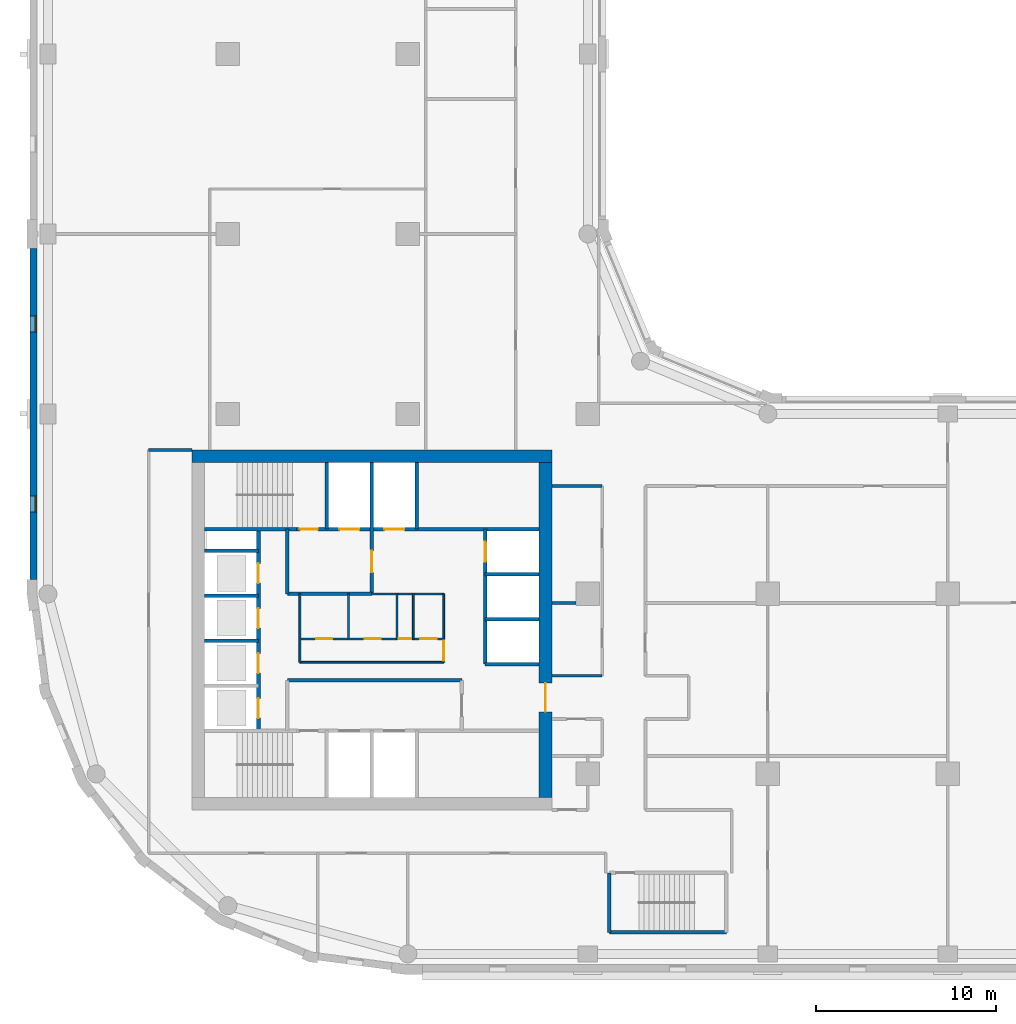
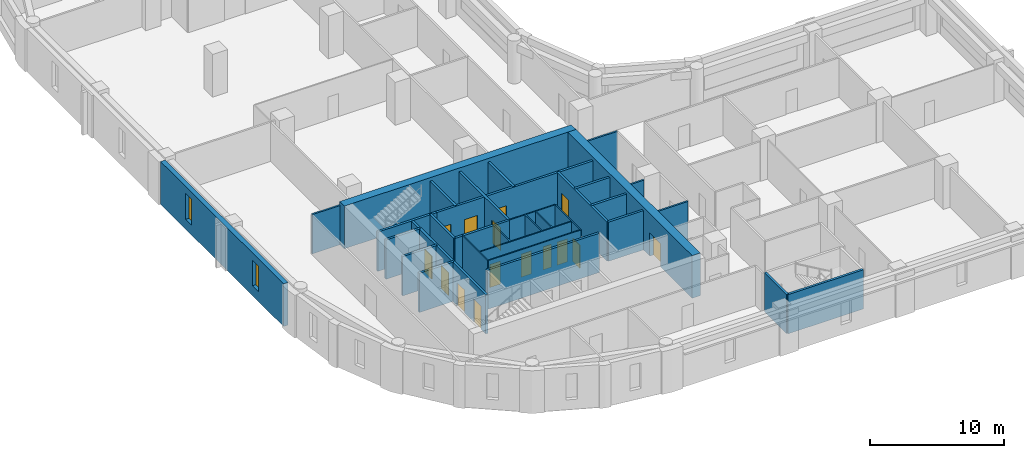
# One storey, part 3 of 9: 33 walls, 15 doors, 2 windows, 17 openings.
"""IFC4 building model written with IfcOpenShell, lengths in metres."""

from ifc_helpers import new_model, si_unit, direction, frame, frame_2d, origin, place, context, subcontext, project, spatial, rectangle, extrude, material, layer, layer_set, type_object, element, fill, save


model = new_model("IFC4")

# Units and contexts
model_context = context("Model", 3, precision=1e-05, world=origin(), true_north=direction((0.0, 1.0)))
body_context = subcontext(model_context, "Body", "Model", "MODEL_VIEW")
ifc_project = project(units=[si_unit("LENGTHUNIT", "METRE"), si_unit("AREAUNIT", "SQUARE_METRE"), si_unit("VOLUMEUNIT", "CUBIC_METRE"), si_unit("PLANEANGLEUNIT", "RADIAN"), si_unit("MASSUNIT", "GRAM", prefix="KILO")], contexts=[model_context])

# Site, building, storey
site_placement = place(None, origin())
site = spatial("IfcSite", under=ifc_project, at=site_placement, CompositionType="ELEMENT")
building_placement = place(site_placement, origin())
building = spatial("IfcBuilding", under=site, at=building_placement, Name="Qaws Garden Tower", CompositionType="ELEMENT")
storey_placement = place(building_placement, frame((0.0, 0.0, 162.89990234375)))
storey = spatial("IfcBuildingStorey", under=building, at=storey_placement, Name="L39", CompositionType="ELEMENT", Elevation=162.89990234375)

# Wall, openings, windows
ifc_material_1 = material(Name="Clay facing brick masonry", Category="masonry")
ifc_layer_1 = layer(ifc_material_1, 0.39990234375)
ifc_layer_set_1 = layer_set([ifc_layer_1], Name="Clay facing brick masonry")
wall_type_1 = type_object("IfcWallType", Name="Brick infill wall 400", PredefinedType="SOLIDWALL", material=ifc_layer_set_1)
wall_1_placement = place(storey_placement, frame((-0.800048828125, 39.199951171875, 0.0), z_axis=(0.0, 0.0, 1.0), x_axis=(0.0, -1.0, 0.0)))
wall_1 = element("IfcWall", 1, at=wall_1_placement, inside=storey, type_object=wall_type_1, Name="E-L39-infill-23", PredefinedType="SOLIDWALL", context=body_context, shape_type="SweptSolid", body=[
    extrude(rectangle(XDim=18.39990234375, YDim=0.39990234375, at=frame_2d((9.199951171875, 0.0))), origin(), (0.0, 0.0, 1.0), 3.900146484375),
])
opening_1_placement = place(wall_1_placement, frame((3.75, 0.0, 0.89990234375)))
opening_1 = element("IfcOpeningElement", 2, at=opening_1_placement, cuts=wall_1, Name="Opening W09", PredefinedType="OPENING", context=body_context, shape_type="SweptSolid", body=[
    extrude(rectangle(XDim=0.89990234375, YDim=2.35009765625, at=frame_2d((0.449951171875, 1.175048828125))), frame((0.0, 0.2099609375, 0.0), z_axis=(0.0, -1.0, 0.0), x_axis=(1.0, 0.0, 0.0)), (0.0, 0.0, 1.0), 0.419921875),
])
opening_2_placement = place(wall_1_placement, frame((13.75, 0.0, 0.89990234375)))
opening_2 = element("IfcOpeningElement", 3, at=opening_2_placement, cuts=wall_1, Name="Opening W09", PredefinedType="OPENING", context=body_context, shape_type="SweptSolid", body=[
    extrude(rectangle(XDim=0.89990234375, YDim=2.35009765625, at=frame_2d((0.449951171875, 1.175048828125))), frame((0.0, 0.2099609375, 0.0), z_axis=(0.0, -1.0, 0.0), x_axis=(1.0, 0.0, 0.0)), (0.0, 0.0, 1.0), 0.419921875),
])
ifc_material_2 = material(Name="Aluminium framed window, clear glazing", Category="aluminium")
window_type = type_object("IfcWindowType", Name="Slit window 900 x 2350", PartitioningType="SINGLE_PANEL", PredefinedType="WINDOW", material=ifc_material_2)
window_1_placement = place(opening_1_placement, origin())
window_1 = element("IfcWindow", 4, at=window_1_placement, inside=storey, type_object=window_type, Name="E-L39-window-23-0", OverallHeight=2.35009765625, OverallWidth=0.89990234375, PartitioningType="SINGLE_PANEL", PredefinedType="WINDOW", context=body_context, shape_type="SweptSolid", body=[
    extrude(rectangle(XDim=0.89990234375, YDim=2.35009765625, at=frame_2d((0.449951171875, 1.175048828125))), frame((0.0, 0.159912109375, 0.0), z_axis=(0.0, -1.0, 0.0), x_axis=(1.0, 0.0, 0.0)), (0.0, 0.0, 1.0), 0.06005859375),
])
fill(opening_1, window_1)
window_2_placement = place(opening_2_placement, origin())
window_2 = element("IfcWindow", 5, at=window_2_placement, inside=storey, type_object=window_type, Name="E-L39-window-24-0", OverallHeight=2.35009765625, OverallWidth=0.89990234375, PartitioningType="SINGLE_PANEL", PredefinedType="WINDOW", context=body_context, shape_type="SweptSolid", body=[
    extrude(rectangle(XDim=0.89990234375, YDim=2.35009765625, at=frame_2d((0.449951171875, 1.175048828125))), frame((0.0, 0.159912109375, 0.0), z_axis=(0.0, -1.0, 0.0), x_axis=(1.0, 0.0, 0.0)), (0.0, 0.0, 1.0), 0.06005859375),
])
fill(opening_2, window_2)

# Wall
ifc_material_3 = material(Name="Plasterboard")
ifc_layer_2 = layer(ifc_material_3, 0.10009765625)
ifc_layer_set_2 = layer_set([ifc_layer_2], Name="Plasterboard")
wall_type_2 = type_object("IfcWallType", Name="Core partition 100", PredefinedType="PARTITIONING", material=ifc_layer_set_2)
wall_2_placement = place(storey_placement, frame((14.0, 16.199951171875, 0.0), z_axis=(0.0, 0.0, 1.0), x_axis=(1.0, 0.0, 0.0)))
element("IfcWall", 6, at=wall_2_placement, inside=storey, type_object=wall_type_2, Name="Core partition", PredefinedType="PARTITIONING", context=body_context, shape_type="SweptSolid", body=[
    extrude(rectangle(XDim=8.0, YDim=0.10009765625, at=frame_2d((4.0, 0.0))), origin(), (0.0, 0.0, 1.0), 3.580078125),
])

# Wall, openings, doors
wall_3_placement = place(storey_placement, frame((14.0, 17.5, 0.0), z_axis=(0.0, 0.0, 1.0), x_axis=(1.0, 0.0, 0.0)))
wall_3 = element("IfcWall", 7, at=wall_3_placement, inside=storey, type_object=wall_type_2, Name="Core partition", PredefinedType="PARTITIONING", context=body_context, shape_type="SweptSolid", body=[
    extrude(rectangle(XDim=8.0, YDim=0.10009765625, at=frame_2d((4.0, 0.0))), origin(), (0.0, 0.0, 1.0), 3.580078125),
])
opening_3_placement = place(wall_3_placement, frame((0.89990234375, 0.0, 0.0)))
opening_3 = element("IfcOpeningElement", 8, at=opening_3_placement, cuts=wall_3, Name="Opening WD18", PredefinedType="OPENING", context=body_context, shape_type="SweptSolid", body=[
    extrude(rectangle(XDim=0.89990234375, YDim=2.10009765625, at=frame_2d((0.449951171875, 1.050048828125))), frame((0.0, 0.06005859375, 0.0), z_axis=(0.0, -1.0, 0.0), x_axis=(1.0, 0.0, 0.0)), (0.0, 0.0, 1.0), 0.1201171875),
])
opening_4_placement = place(wall_3_placement, frame((3.60009765625, 0.0, 0.0)))
opening_4 = element("IfcOpeningElement", 9, at=opening_4_placement, cuts=wall_3, Name="Opening WD19", PredefinedType="OPENING", context=body_context, shape_type="SweptSolid", body=[
    extrude(rectangle(XDim=0.89990234375, YDim=2.10009765625, at=frame_2d((0.449951171875, 1.050048828125))), frame((0.0, 0.06005859375, 0.0), z_axis=(0.0, -1.0, 0.0), x_axis=(1.0, 0.0, 0.0)), (0.0, 0.0, 1.0), 0.1201171875),
])
opening_5_placement = place(wall_3_placement, frame((5.5, 0.0, 0.0)))
opening_5 = element("IfcOpeningElement", 10, at=opening_5_placement, cuts=wall_3, Name="Opening XD20", PredefinedType="OPENING", context=body_context, shape_type="SweptSolid", body=[
    extrude(rectangle(XDim=0.699951171875, YDim=2.10009765625, at=frame_2d((0.35009765625, 1.050048828125))), frame((0.0, 0.06005859375, 0.0), z_axis=(0.0, -1.0, 0.0), x_axis=(1.0, 0.0, 0.0)), (0.0, 0.0, 1.0), 0.1201171875),
])
opening_6_placement = place(wall_3_placement, frame((6.699951171875, 0.0, 0.0)))
opening_6 = element("IfcOpeningElement", 11, at=opening_6_placement, cuts=wall_3, Name="Opening WD21", PredefinedType="OPENING", context=body_context, shape_type="SweptSolid", body=[
    extrude(rectangle(XDim=0.89990234375, YDim=2.10009765625, at=frame_2d((0.449951171875, 1.050048828125))), frame((0.0, 0.06005859375, 0.0), z_axis=(0.0, -1.0, 0.0), x_axis=(1.0, 0.0, 0.0)), (0.0, 0.0, 1.0), 0.1201171875),
])
ifc_material_4 = material(Name="Timber", Category="wood")
door_type_1 = type_object("IfcDoorType", Name="Store door 700x2100", OperationType="SINGLE_SWING_LEFT", PredefinedType="DOOR", material=ifc_material_4)
door_1_placement = place(opening_5_placement, origin())
door_1 = element("IfcDoor", 12, at=door_1_placement, inside=storey, type_object=door_type_1, Name="Cleaner's store door", OperationType="SINGLE_SWING_RIGHT", OverallHeight=2.10009765625, OverallWidth=0.699951171875, PredefinedType="DOOR", context=body_context, shape_type="SweptSolid", body=[
    extrude(rectangle(XDim=0.699951171875, YDim=2.10009765625, at=frame_2d((0.35009765625, 1.050048828125))), frame((0.0, 0.02490234375, 0.0), z_axis=(0.0, -1.0, 0.0), x_axis=(1.0, 0.0, 0.0)), (0.0, 0.0, 1.0), 0.050048828125),
])
fill(opening_5, door_1)
ifc_material_5 = material(Name="Timber", Category="wood")
door_type_2 = type_object("IfcDoorType", Name="WC door 900x2100", OperationType="SINGLE_SWING_LEFT", PredefinedType="DOOR", material=ifc_material_5)
door_2_placement = place(opening_3_placement, origin())
door_2 = element("IfcDoor", 13, at=door_2_placement, inside=storey, type_object=door_type_2, Name="Women's WC door", OperationType="SINGLE_SWING_RIGHT", OverallHeight=2.10009765625, OverallWidth=0.89990234375, PredefinedType="DOOR", context=body_context, shape_type="SweptSolid", body=[
    extrude(rectangle(XDim=0.89990234375, YDim=2.10009765625, at=frame_2d((0.449951171875, 1.050048828125))), frame((0.0, 0.02490234375, 0.0), z_axis=(0.0, -1.0, 0.0), x_axis=(1.0, 0.0, 0.0)), (0.0, 0.0, 1.0), 0.050048828125),
])
fill(opening_3, door_2)
door_3_placement = place(opening_4_placement, origin())
door_3 = element("IfcDoor", 14, at=door_3_placement, inside=storey, type_object=door_type_2, Name="Men's WC door", OperationType="SINGLE_SWING_RIGHT", OverallHeight=2.10009765625, OverallWidth=0.89990234375, PredefinedType="DOOR", context=body_context, shape_type="SweptSolid", body=[
    extrude(rectangle(XDim=0.89990234375, YDim=2.10009765625, at=frame_2d((0.449951171875, 1.050048828125))), frame((0.0, 0.02490234375, 0.0), z_axis=(0.0, -1.0, 0.0), x_axis=(1.0, 0.0, 0.0)), (0.0, 0.0, 1.0), 0.050048828125),
])
fill(opening_4, door_3)
door_4_placement = place(opening_6_placement, origin())
door_4 = element("IfcDoor", 15, at=door_4_placement, inside=storey, type_object=door_type_2, Name="Accessible WC door", OperationType="SINGLE_SWING_RIGHT", OverallHeight=2.10009765625, OverallWidth=0.89990234375, PredefinedType="DOOR", context=body_context, shape_type="SweptSolid", body=[
    extrude(rectangle(XDim=0.89990234375, YDim=2.10009765625, at=frame_2d((0.449951171875, 1.050048828125))), frame((0.0, 0.02490234375, 0.0), z_axis=(0.0, -1.0, 0.0), x_axis=(1.0, 0.0, 0.0)), (0.0, 0.0, 1.0), 0.050048828125),
])
fill(opening_6, door_4)

# Walls
wall_4_placement = place(storey_placement, frame((18.0, 20.0, 0.0), z_axis=(0.0, 0.0, 1.0), x_axis=(1.0, 0.0, 0.0)))
element("IfcWall", 16, at=wall_4_placement, inside=storey, type_object=wall_type_2, Name="Core partition", PredefinedType="PARTITIONING", context=body_context, shape_type="SweptSolid", body=[
    extrude(rectangle(XDim=4.0, YDim=0.10009765625, at=frame_2d((2.0, 0.0))), origin(), (0.0, 0.0, 1.0), 3.580078125),
])
wall_5_placement = place(storey_placement, frame((14.0, 16.199951171875, 0.0), z_axis=(0.0, 0.0, 1.0), x_axis=(0.0, 1.0, 0.0)))
element("IfcWall", 17, at=wall_5_placement, inside=storey, type_object=wall_type_2, Name="Core partition", PredefinedType="PARTITIONING", context=body_context, shape_type="SweptSolid", body=[
    extrude(rectangle(XDim=3.800048828125, YDim=0.10009765625, at=frame_2d((1.89990234375, 0.0))), origin(), (0.0, 0.0, 1.0), 3.580078125),
])
for number, where, z_axis, x_axis, name in (
    (18, (16.699951171875, 17.5, 0.0), (0.0, 0.0, 1.0), (0.0, 1.0, 0.0), "Core partition"),
    (19, (19.39990234375, 17.5, 0.0), (0.0, 0.0, 1.0), (0.0, 1.0, 0.0), "Core partition"),
    (20, (20.300048828125, 17.5, 0.0), (0.0, 0.0, 1.0), (0.0, 1.0, 0.0), "Core partition"),
):
    element("IfcWall", number, at=place(storey_placement, frame(where, z_axis=z_axis, x_axis=x_axis)), inside=storey, type_object=wall_type_2, Name=name, PredefinedType="PARTITIONING", context=body_context, shape_type="SweptSolid", body=[
        extrude(rectangle(XDim=2.5, YDim=0.10009765625, at=frame_2d((1.25, 0.0))), origin(), (0.0, 0.0, 1.0), 3.580078125),
    ])

# Wall, opening, door
wall_6_placement = place(storey_placement, frame((22.0, 16.199951171875, 0.0), z_axis=(0.0, 0.0, 1.0), x_axis=(0.0, 1.0, 0.0)))
wall_6 = element("IfcWall", 21, at=wall_6_placement, inside=storey, type_object=wall_type_2, Name="Core partition", PredefinedType="PARTITIONING", context=body_context, shape_type="SweptSolid", body=[
    extrude(rectangle(XDim=3.800048828125, YDim=0.10009765625, at=frame_2d((1.89990234375, 0.0))), origin(), (0.0, 0.0, 1.0), 3.580078125),
])
opening_7_placement = place(wall_6_placement, frame((0.10009765625, 0.0, 0.0)))
opening_7 = element("IfcOpeningElement", 22, at=opening_7_placement, cuts=wall_6, Name="Opening WL17", PredefinedType="OPENING", context=body_context, shape_type="SweptSolid", body=[
    extrude(rectangle(XDim=1.10009765625, YDim=2.10009765625, at=frame_2d((0.550048828125, 1.050048828125))), frame((0.0, 0.06005859375, 0.0), z_axis=(0.0, -1.0, 0.0), x_axis=(1.0, 0.0, 0.0)), (0.0, 0.0, 1.0), 0.1201171875),
])
ifc_material_6 = material(Name="Timber", Category="wood")
door_type_3 = type_object("IfcDoorType", Name="WC lobby door 1100x2100", OperationType="SINGLE_SWING_LEFT", PredefinedType="DOOR", material=ifc_material_6)
door_5_placement = place(opening_7_placement, origin())
door_5 = element("IfcDoor", 23, at=door_5_placement, inside=storey, type_object=door_type_3, Name="WC lobby door", OperationType="SINGLE_SWING_RIGHT", OverallHeight=2.10009765625, OverallWidth=1.10009765625, PredefinedType="DOOR", context=body_context, shape_type="SweptSolid", body=[
    extrude(rectangle(XDim=1.10009765625, YDim=2.10009765625, at=frame_2d((0.550048828125, 1.050048828125))), frame((0.0, 0.02490234375, 0.0), z_axis=(0.0, -1.0, 0.0), x_axis=(1.0, 0.0, 0.0)), (0.0, 0.0, 1.0), 0.050048828125),
])
fill(opening_7, door_5)

# Walls
ifc_material_7 = material(Name="Concrete C70", Category="concrete")
ifc_layer_3 = layer(ifc_material_7, 0.199951171875)
ifc_layer_set_3 = layer_set([ifc_layer_3], Name="Concrete C70")
wall_type_3 = type_object("IfcWallType", Name="Core shaft wall 200 C70", PredefinedType="SHEAR", material=ifc_layer_set_3)
wall_7_placement = place(storey_placement, frame((31.199951171875, 1.199951171875, 0.0), z_axis=(0.0, 0.0, 1.0), x_axis=(1.0, 0.0, 0.0)))
element("IfcWall", 24, at=wall_7_placement, inside=storey, type_object=wall_type_3, Name="Shaft wall", PredefinedType="SHEAR", context=body_context, shape_type="SweptSolid", body=[
    extrude(rectangle(XDim=6.5, YDim=0.199951171875, at=frame_2d((3.25, 0.0))), origin(), (0.0, 0.0, 1.0), 3.580078125),
])
wall_8_placement = place(storey_placement, frame((13.300048828125, 15.199951171875, 0.0), z_axis=(0.0, 0.0, 1.0), x_axis=(1.0, 0.0, 0.0)))
element("IfcWall", 25, at=wall_8_placement, inside=storey, type_object=wall_type_3, Name="Shaft wall", PredefinedType="SHEAR", context=body_context, shape_type="SweptSolid", body=[
    extrude(rectangle(XDim=9.699951171875, YDim=0.199951171875, at=frame_2d((4.85009765625, 0.0))), origin(), (0.0, 0.0, 1.0), 3.580078125),
])
for number, where, z_axis, x_axis, name in (
    (26, (24.300048828125, 16.10009765625, 0.0), (0.0, 0.0, 1.0), (1.0, 0.0, 0.0), "Shaft wall"),
    (27, (8.699951171875, 17.39990234375, 0.0), (0.0, 0.0, 1.0), (1.0, 0.0, 0.0), "Shaft wall"),
    (28, (24.300048828125, 18.60009765625, 0.0), (0.0, 0.0, 1.0), (1.0, 0.0, 0.0), "Shaft wall"),
    (29, (8.699951171875, 19.89990234375, 0.0), (0.0, 0.0, 1.0), (1.0, 0.0, 0.0), "Shaft wall"),
):
    element("IfcWall", number, at=place(storey_placement, frame(where, z_axis=z_axis, x_axis=x_axis)), inside=storey, type_object=wall_type_3, Name=name, PredefinedType="SHEAR", context=body_context, shape_type="SweptSolid", body=[
        extrude(rectangle(XDim=3.0, YDim=0.199951171875, at=frame_2d((1.5, 0.0))), origin(), (0.0, 0.0, 1.0), 3.580078125),
    ])
wall_9_placement = place(storey_placement, frame((13.300048828125, 20.0, 0.0), z_axis=(0.0, 0.0, 1.0), x_axis=(1.0, 0.0, 0.0)))
element("IfcWall", 30, at=wall_9_placement, inside=storey, type_object=wall_type_3, Name="Shaft wall", PredefinedType="SHEAR", context=body_context, shape_type="SweptSolid", body=[
    extrude(rectangle(XDim=4.699951171875, YDim=0.199951171875, at=frame_2d((2.35009765625, 0.0))), origin(), (0.0, 0.0, 1.0), 3.580078125),
])
for number, where, z_axis, x_axis, name in (
    (31, (24.300048828125, 21.10009765625, 0.0), (0.0, 0.0, 1.0), (1.0, 0.0, 0.0), "Shaft wall"),
    (32, (8.699951171875, 22.39990234375, 0.0), (0.0, 0.0, 1.0), (1.0, 0.0, 0.0), "Shaft wall"),
):
    element("IfcWall", number, at=place(storey_placement, frame(where, z_axis=z_axis, x_axis=x_axis)), inside=storey, type_object=wall_type_3, Name=name, PredefinedType="SHEAR", context=body_context, shape_type="SweptSolid", body=[
        extrude(rectangle(XDim=3.0, YDim=0.199951171875, at=frame_2d((1.5, 0.0))), origin(), (0.0, 0.0, 1.0), 3.580078125),
    ])
wall_10_placement = place(storey_placement, frame((8.699951171875, 23.60009765625, 0.0), z_axis=(0.0, 0.0, 1.0), x_axis=(1.0, 0.0, 0.0)))
element("IfcWall", 33, at=wall_10_placement, inside=storey, type_object=wall_type_3, Name="Shaft wall", PredefinedType="SHEAR", context=body_context, shape_type="SweptSolid", body=[
    extrude(rectangle(XDim=5.10009765625, YDim=0.199951171875, at=frame_2d((2.550048828125, 0.0))), origin(), (0.0, 0.0, 1.0), 3.580078125),
])

# Wall, openings, doors
wall_11_placement = place(storey_placement, frame((13.800048828125, 23.60009765625, 0.0), z_axis=(0.0, 0.0, 1.0), x_axis=(1.0, 0.0, 0.0)))
wall_11 = element("IfcWall", 34, at=wall_11_placement, inside=storey, type_object=wall_type_3, Name="Shaft wall", PredefinedType="SHEAR", context=body_context, shape_type="SweptSolid", body=[
    extrude(rectangle(XDim=13.5, YDim=0.199951171875, at=frame_2d((6.75, 0.0))), origin(), (0.0, 0.0, 1.0), 3.580078125),
])
opening_8_placement = place(wall_11_placement, frame((2.39990234375, 0.0, 0.0)))
opening_8 = element("IfcOpeningElement", 35, at=opening_8_placement, cuts=wall_11, Name="Opening LD08", PredefinedType="OPENING", context=body_context, shape_type="SweptSolid", body=[
    extrude(rectangle(XDim=1.10009765625, YDim=2.10009765625, at=frame_2d((0.550048828125, 1.050048828125))), frame((0.0, 0.10986328125, 0.0), z_axis=(0.0, -1.0, 0.0), x_axis=(1.0, 0.0, 0.0)), (0.0, 0.0, 1.0), 0.219970703125),
])
opening_9_placement = place(wall_11_placement, frame((4.89990234375, 0.0, 0.0)))
opening_9 = element("IfcOpeningElement", 36, at=opening_9_placement, cuts=wall_11, Name="Opening LD09", PredefinedType="OPENING", context=body_context, shape_type="SweptSolid", body=[
    extrude(rectangle(XDim=1.10009765625, YDim=2.10009765625, at=frame_2d((0.550048828125, 1.050048828125))), frame((0.0, 0.10986328125, 0.0), z_axis=(0.0, -1.0, 0.0), x_axis=(1.0, 0.0, 0.0)), (0.0, 0.0, 1.0), 0.219970703125),
])
opening_10_placement = place(wall_11_placement, frame((0.199951171875, 0.0, 0.0)))
opening_10 = element("IfcOpeningElement", 37, at=opening_10_placement, cuts=wall_11, Name="Opening SD11", PredefinedType="OPENING", context=body_context, shape_type="SweptSolid", body=[
    extrude(rectangle(XDim=1.0, YDim=2.10009765625, at=frame_2d((0.5, 1.050048828125))), frame((0.0, 0.10986328125, 0.0), z_axis=(0.0, -1.0, 0.0), x_axis=(1.0, 0.0, 0.0)), (0.0, 0.0, 1.0), 0.219970703125),
])
ifc_material_8 = material(Name="Steel S235", Category="steel")
door_type_4 = type_object("IfcDoorType", Name="Landing door 1100x2100", OperationType="DOUBLE_DOOR_SLIDING", PredefinedType="DOOR", material=ifc_material_8)
door_6_placement = place(opening_8_placement, origin())
door_6 = element("IfcDoor", 38, at=door_6_placement, inside=storey, type_object=door_type_4, Name="Lift FF3 landing door", OperationType="DOUBLE_DOOR_SLIDING", OverallHeight=2.10009765625, OverallWidth=1.10009765625, PredefinedType="DOOR", context=body_context, shape_type="SweptSolid", body=[
    extrude(rectangle(XDim=1.10009765625, YDim=2.10009765625, at=frame_2d((0.550048828125, 1.050048828125))), frame((0.0, 0.02490234375, 0.0), z_axis=(0.0, -1.0, 0.0), x_axis=(1.0, 0.0, 0.0)), (0.0, 0.0, 1.0), 0.050048828125),
])
fill(opening_8, door_6)
door_7_placement = place(opening_9_placement, origin())
door_7 = element("IfcDoor", 39, at=door_7_placement, inside=storey, type_object=door_type_4, Name="Lift SV2 landing door", OperationType="DOUBLE_DOOR_SLIDING", OverallHeight=2.10009765625, OverallWidth=1.10009765625, PredefinedType="DOOR", context=body_context, shape_type="SweptSolid", body=[
    extrude(rectangle(XDim=1.10009765625, YDim=2.10009765625, at=frame_2d((0.550048828125, 1.050048828125))), frame((0.0, 0.02490234375, 0.0), z_axis=(0.0, -1.0, 0.0), x_axis=(1.0, 0.0, 0.0)), (0.0, 0.0, 1.0), 0.050048828125),
])
fill(opening_9, door_7)
ifc_material_9 = material(Name="Steel S235", Category="steel")
door_type_5 = type_object("IfcDoorType", Name="Stair door 1000x2100", OperationType="SINGLE_SWING_RIGHT", PredefinedType="DOOR", material=ifc_material_9)
door_8_placement = place(opening_10_placement, origin())
door_8 = element("IfcDoor", 40, at=door_8_placement, inside=storey, type_object=door_type_5, Name="Stair 4 door", OperationType="SINGLE_SWING_RIGHT", OverallHeight=2.10009765625, OverallWidth=1.0, PredefinedType="DOOR", context=body_context, shape_type="SweptSolid", body=[
    extrude(rectangle(XDim=1.0, YDim=2.10009765625, at=frame_2d((0.5, 1.050048828125))), frame((0.0, 0.02490234375, 0.0), z_axis=(0.0, -1.0, 0.0), x_axis=(1.0, 0.0, 0.0)), (0.0, 0.0, 1.0), 0.050048828125),
])
fill(opening_10, door_8)

wall_12_placement = place(storey_placement, frame((11.699951171875, 12.39990234375, 0.0), z_axis=(0.0, 0.0, 1.0), x_axis=(0.0, 1.0, 0.0)))
wall_12 = element("IfcWall", 41, at=wall_12_placement, inside=storey, type_object=wall_type_3, Name="Shaft wall", PredefinedType="SHEAR", context=body_context, shape_type="SweptSolid", body=[
    extrude(rectangle(XDim=11.2001953125, YDim=0.199951171875, at=frame_2d((5.60009765625, 0.0))), origin(), (0.0, 0.0, 1.0), 3.580078125),
])
opening_11_placement = place(wall_12_placement, frame((0.699951171875, 0.0, 0.0)))
opening_11 = element("IfcOpeningElement", 42, at=opening_11_placement, cuts=wall_12, Name="Opening LD01", PredefinedType="OPENING", context=body_context, shape_type="SweptSolid", body=[
    extrude(rectangle(XDim=1.10009765625, YDim=2.10009765625, at=frame_2d((0.550048828125, 1.050048828125))), frame((0.0, 0.10986328125, 0.0), z_axis=(0.0, -1.0, 0.0), x_axis=(1.0, 0.0, 0.0)), (0.0, 0.0, 1.0), 0.219970703125),
])
opening_12_placement = place(wall_12_placement, frame((3.199951171875, 0.0, 0.0)))
opening_12 = element("IfcOpeningElement", 43, at=opening_12_placement, cuts=wall_12, Name="Opening LD02", PredefinedType="OPENING", context=body_context, shape_type="SweptSolid", body=[
    extrude(rectangle(XDim=1.10009765625, YDim=2.10009765625, at=frame_2d((0.550048828125, 1.050048828125))), frame((0.0, 0.10986328125, 0.0), z_axis=(0.0, -1.0, 0.0), x_axis=(1.0, 0.0, 0.0)), (0.0, 0.0, 1.0), 0.219970703125),
])
opening_13_placement = place(wall_12_placement, frame((5.699951171875, 0.0, 0.0)))
opening_13 = element("IfcOpeningElement", 44, at=opening_13_placement, cuts=wall_12, Name="Opening LD03", PredefinedType="OPENING", context=body_context, shape_type="SweptSolid", body=[
    extrude(rectangle(XDim=1.10009765625, YDim=2.10009765625, at=frame_2d((0.550048828125, 1.050048828125))), frame((0.0, 0.10986328125, 0.0), z_axis=(0.0, -1.0, 0.0), x_axis=(1.0, 0.0, 0.0)), (0.0, 0.0, 1.0), 0.219970703125),
])
opening_14_placement = place(wall_12_placement, frame((8.199951171875, 0.0, 0.0)))
opening_14 = element("IfcOpeningElement", 45, at=opening_14_placement, cuts=wall_12, Name="Opening LD04", PredefinedType="OPENING", context=body_context, shape_type="SweptSolid", body=[
    extrude(rectangle(XDim=1.10009765625, YDim=2.10009765625, at=frame_2d((0.550048828125, 1.050048828125))), frame((0.0, 0.10986328125, 0.0), z_axis=(0.0, -1.0, 0.0), x_axis=(1.0, 0.0, 0.0)), (0.0, 0.0, 1.0), 0.219970703125),
])
door_9_placement = place(opening_11_placement, origin())
door_9 = element("IfcDoor", 46, at=door_9_placement, inside=storey, type_object=door_type_4, Name="Lift W1 landing door", OperationType="DOUBLE_DOOR_SLIDING", OverallHeight=2.10009765625, OverallWidth=1.10009765625, PredefinedType="DOOR", context=body_context, shape_type="SweptSolid", body=[
    extrude(rectangle(XDim=1.10009765625, YDim=2.10009765625, at=frame_2d((0.550048828125, 1.050048828125))), frame((0.0, 0.02490234375, 0.0), z_axis=(0.0, -1.0, 0.0), x_axis=(1.0, 0.0, 0.0)), (0.0, 0.0, 1.0), 0.050048828125),
])
fill(opening_11, door_9)
door_10_placement = place(opening_12_placement, origin())
door_10 = element("IfcDoor", 47, at=door_10_placement, inside=storey, type_object=door_type_4, Name="Lift W2 landing door", OperationType="DOUBLE_DOOR_SLIDING", OverallHeight=2.10009765625, OverallWidth=1.10009765625, PredefinedType="DOOR", context=body_context, shape_type="SweptSolid", body=[
    extrude(rectangle(XDim=1.10009765625, YDim=2.10009765625, at=frame_2d((0.550048828125, 1.050048828125))), frame((0.0, 0.02490234375, 0.0), z_axis=(0.0, -1.0, 0.0), x_axis=(1.0, 0.0, 0.0)), (0.0, 0.0, 1.0), 0.050048828125),
])
fill(opening_12, door_10)
door_11_placement = place(opening_13_placement, origin())
door_11 = element("IfcDoor", 48, at=door_11_placement, inside=storey, type_object=door_type_4, Name="Lift W3 landing door", OperationType="DOUBLE_DOOR_SLIDING", OverallHeight=2.10009765625, OverallWidth=1.10009765625, PredefinedType="DOOR", context=body_context, shape_type="SweptSolid", body=[
    extrude(rectangle(XDim=1.10009765625, YDim=2.10009765625, at=frame_2d((0.550048828125, 1.050048828125))), frame((0.0, 0.02490234375, 0.0), z_axis=(0.0, -1.0, 0.0), x_axis=(1.0, 0.0, 0.0)), (0.0, 0.0, 1.0), 0.050048828125),
])
fill(opening_13, door_11)
door_12_placement = place(opening_14_placement, origin())
door_12 = element("IfcDoor", 49, at=door_12_placement, inside=storey, type_object=door_type_4, Name="Lift W4 landing door", OperationType="DOUBLE_DOOR_SLIDING", OverallHeight=2.10009765625, OverallWidth=1.10009765625, PredefinedType="DOOR", context=body_context, shape_type="SweptSolid", body=[
    extrude(rectangle(XDim=1.10009765625, YDim=2.10009765625, at=frame_2d((0.550048828125, 1.050048828125))), frame((0.0, 0.02490234375, 0.0), z_axis=(0.0, -1.0, 0.0), x_axis=(1.0, 0.0, 0.0)), (0.0, 0.0, 1.0), 0.050048828125),
])
fill(opening_14, door_12)

# Walls
wall_13_placement = place(storey_placement, frame((13.300048828125, 20.0, 0.0), z_axis=(0.0, 0.0, 1.0), x_axis=(0.0, 1.0, 0.0)))
element("IfcWall", 50, at=wall_13_placement, inside=storey, type_object=wall_type_3, Name="Shaft wall", PredefinedType="SHEAR", context=body_context, shape_type="SweptSolid", body=[
    extrude(rectangle(XDim=3.60009765625, YDim=0.199951171875, at=frame_2d((1.800048828125, 0.0))), origin(), (0.0, 0.0, 1.0), 3.580078125),
])
wall_14_placement = place(storey_placement, frame((15.5, 23.60009765625, 0.0), z_axis=(0.0, 0.0, 1.0), x_axis=(0.0, 1.0, 0.0)))
element("IfcWall", 51, at=wall_14_placement, inside=storey, type_object=wall_type_3, Name="Shaft wall", PredefinedType="SHEAR", context=body_context, shape_type="SweptSolid", body=[
    extrude(rectangle(XDim=3.699951171875, YDim=0.199951171875, at=frame_2d((1.85009765625, 0.0))), origin(), (0.0, 0.0, 1.0), 3.580078125),
])

# Wall, opening, door
wall_15_placement = place(storey_placement, frame((18.0, 20.0, 0.0), z_axis=(0.0, 0.0, 1.0), x_axis=(0.0, 1.0, 0.0)))
wall_15 = element("IfcWall", 52, at=wall_15_placement, inside=storey, type_object=wall_type_3, Name="Shaft wall", PredefinedType="SHEAR", context=body_context, shape_type="SweptSolid", body=[
    extrude(rectangle(XDim=7.300048828125, YDim=0.199951171875, at=frame_2d((3.64990234375, 0.0))), origin(), (0.0, 0.0, 1.0), 3.580078125),
])
opening_15_placement = place(wall_15_placement, frame((1.199951171875, 0.0, 0.0)))
opening_15 = element("IfcOpeningElement", 53, at=opening_15_placement, cuts=wall_15, Name="Opening FD16", PredefinedType="OPENING", context=body_context, shape_type="SweptSolid", body=[
    extrude(rectangle(XDim=1.199951171875, YDim=2.10009765625, at=frame_2d((0.60009765625, 1.050048828125))), frame((0.0, 0.10986328125, 0.0), z_axis=(0.0, -1.0, 0.0), x_axis=(1.0, 0.0, 0.0)), (0.0, 0.0, 1.0), 0.219970703125),
])
ifc_material_10 = material(Name="Steel S235", Category="steel")
door_type_6 = type_object("IfcDoorType", Name="Lobby door 1200x2100", OperationType="DOUBLE_DOOR_SINGLE_SWING", PredefinedType="DOOR", material=ifc_material_10)
door_13_placement = place(opening_15_placement, origin())
door_13 = element("IfcDoor", 54, at=door_13_placement, inside=storey, type_object=door_type_6, Name="Fire-fighting lobby door", OperationType="DOUBLE_DOOR_SINGLE_SWING", OverallHeight=2.10009765625, OverallWidth=1.199951171875, PredefinedType="DOOR", context=body_context, shape_type="SweptSolid", body=[
    extrude(rectangle(XDim=1.199951171875, YDim=2.10009765625, at=frame_2d((0.60009765625, 1.050048828125))), frame((0.0, 0.02490234375, 0.0), z_axis=(0.0, -1.0, 0.0), x_axis=(1.0, 0.0, 0.0)), (0.0, 0.0, 1.0), 0.050048828125),
])
fill(opening_15, door_13)

# Wall
wall_16_placement = place(storey_placement, frame((20.5, 23.60009765625, 0.0), z_axis=(0.0, 0.0, 1.0), x_axis=(0.0, 1.0, 0.0)))
element("IfcWall", 55, at=wall_16_placement, inside=storey, type_object=wall_type_3, Name="Shaft wall", PredefinedType="SHEAR", context=body_context, shape_type="SweptSolid", body=[
    extrude(rectangle(XDim=3.699951171875, YDim=0.199951171875, at=frame_2d((1.85009765625, 0.0))), origin(), (0.0, 0.0, 1.0), 3.580078125),
])

# Wall, opening, door
wall_17_placement = place(storey_placement, frame((24.300048828125, 16.10009765625, 0.0), z_axis=(0.0, 0.0, 1.0), x_axis=(0.0, 1.0, 0.0)))
wall_17 = element("IfcWall", 56, at=wall_17_placement, inside=storey, type_object=wall_type_3, Name="Shaft wall", PredefinedType="SHEAR", context=body_context, shape_type="SweptSolid", body=[
    extrude(rectangle(XDim=7.5, YDim=0.199951171875, at=frame_2d((3.75, 0.0))), origin(), (0.0, 0.0, 1.0), 3.580078125),
])
opening_16_placement = place(wall_17_placement, frame((5.699951171875, 0.0, 0.0)))
opening_16 = element("IfcOpeningElement", 57, at=opening_16_placement, cuts=wall_17, Name="Opening LD05", PredefinedType="OPENING", context=body_context, shape_type="SweptSolid", body=[
    extrude(rectangle(XDim=1.10009765625, YDim=2.10009765625, at=frame_2d((0.550048828125, 1.050048828125))), frame((0.0, 0.10986328125, 0.0), z_axis=(0.0, -1.0, 0.0), x_axis=(1.0, 0.0, 0.0)), (0.0, 0.0, 1.0), 0.219970703125),
])
door_14_placement = place(opening_16_placement, origin())
door_14 = element("IfcDoor", 58, at=door_14_placement, inside=storey, type_object=door_type_4, Name="Lift E3 landing door", OperationType="DOUBLE_DOOR_SLIDING", OverallHeight=2.10009765625, OverallWidth=1.10009765625, PredefinedType="DOOR", context=body_context, shape_type="SweptSolid", body=[
    extrude(rectangle(XDim=1.10009765625, YDim=2.10009765625, at=frame_2d((0.550048828125, 1.050048828125))), frame((0.0, 0.02490234375, 0.0), z_axis=(0.0, -1.0, 0.0), x_axis=(1.0, 0.0, 0.0)), (0.0, 0.0, 1.0), 0.050048828125),
])
fill(opening_16, door_14)

# Wall
wall_18_placement = place(storey_placement, frame((31.199951171875, 1.199951171875, 0.0), z_axis=(0.0, 0.0, 1.0), x_axis=(0.0, 1.0, 0.0)))
element("IfcWall", 59, at=wall_18_placement, inside=storey, type_object=wall_type_3, Name="Shaft wall", PredefinedType="SHEAR", context=body_context, shape_type="SweptSolid", body=[
    extrude(rectangle(XDim=3.300048828125, YDim=0.199951171875, at=frame_2d((1.64990234375, 0.0))), origin(), (0.0, 0.0, 1.0), 3.580078125),
])

# Wall, opening, door
ifc_material_11 = material(Name="Concrete C70", Category="concrete")
ifc_layer_4 = layer(ifc_material_11, 0.699951171875)
ifc_layer_set_4 = layer_set([ifc_layer_4], Name="Concrete C70")
wall_type_4 = type_object("IfcWallType", Name="Core wall 700 C70", PredefinedType="SHEAR", material=ifc_layer_set_4)
wall_19_placement = place(storey_placement, frame((27.64990234375, 8.699951171875, 0.0), z_axis=(0.0, 0.0, 1.0), x_axis=(0.0, 1.0, 0.0)))
wall_19 = element("IfcWall", 60, at=wall_19_placement, inside=storey, type_object=wall_type_4, Name="Core wall L39 east", PredefinedType="SHEAR", context=body_context, shape_type="SweptSolid", body=[
    extrude(rectangle(XDim=18.60009765625, YDim=0.699951171875, at=frame_2d((9.300048828125, 0.0))), origin(), (0.0, 0.0, 1.0), 3.900146484375),
])
opening_17_placement = place(wall_19_placement, frame((4.75, 0.0, 0.0)))
opening_17 = element("IfcOpeningElement", 61, at=opening_17_placement, cuts=wall_19, Name="Opening ED22", PredefinedType="OPENING", context=body_context, shape_type="SweptSolid", body=[
    extrude(rectangle(XDim=1.60009765625, YDim=2.10009765625, at=frame_2d((0.800048828125, 1.050048828125))), frame((0.0, 0.35986328125, 0.0), z_axis=(0.0, -1.0, 0.0), x_axis=(1.0, 0.0, 0.0)), (0.0, 0.0, 1.0), 0.719970703125),
])
ifc_material_12 = material(Name="Steel S235", Category="steel")
door_type_7 = type_object("IfcDoorType", Name="Core entrance door 1600x2100", OperationType="DOUBLE_DOOR_SINGLE_SWING", PredefinedType="DOOR", material=ifc_material_12)
door_15_placement = place(opening_17_placement, origin())
door_15 = element("IfcDoor", 62, at=door_15_placement, inside=storey, type_object=door_type_7, Name="Core entrance door", OperationType="DOUBLE_DOOR_SINGLE_SWING", OverallHeight=2.10009765625, OverallWidth=1.60009765625, PredefinedType="DOOR", context=body_context, shape_type="SweptSolid", body=[
    extrude(rectangle(XDim=1.60009765625, YDim=2.10009765625, at=frame_2d((0.800048828125, 1.050048828125))), frame((0.0, 0.02490234375, 0.0), z_axis=(0.0, -1.0, 0.0), x_axis=(1.0, 0.0, 0.0)), (0.0, 0.0, 1.0), 0.050048828125),
])
fill(opening_17, door_15)

# Walls
wall_20_placement = place(storey_placement, frame((28.0, 27.64990234375, 0.0), z_axis=(0.0, 0.0, 1.0), x_axis=(-1.0, 0.0, 0.0)))
element("IfcWall", 63, at=wall_20_placement, inside=storey, type_object=wall_type_4, Name="Core wall L39 north", PredefinedType="SHEAR", context=body_context, shape_type="SweptSolid", body=[
    extrude(rectangle(XDim=20.0, YDim=0.699951171875, at=frame_2d((10.0, 0.0))), origin(), (0.0, 0.0, 1.0), 3.900146484375),
])
ifc_material_13 = material(Name="Gypsum board partition")
ifc_layer_5 = layer(ifc_material_13, 0.14990234375)
ifc_layer_set_5 = layer_set([ifc_layer_5], Name="Gypsum board partition")
wall_type_5 = type_object("IfcWallType", Name="PARTITION 150 EI 60", PredefinedType="PARTITIONING", material=ifc_layer_set_5)
wall_21_placement = place(storey_placement, frame((28.0, 15.449951171875, 0.0), z_axis=(0.0, 0.0, 1.0), x_axis=(1.0, 0.0, 0.0)))
element("IfcWall", 64, at=wall_21_placement, inside=storey, type_object=wall_type_5, Name="O-L39-wall-037", PredefinedType="PARTITIONING", context=body_context, shape_type="SweptSolid", body=[
    extrude(rectangle(XDim=2.800048828125, YDim=0.14990234375, at=frame_2d((1.39990234375, 0.0))), origin(), (0.0, 0.0, 1.0), 3.580078125),
])
wall_22_placement = place(storey_placement, frame((28.0, 19.5, 0.0), z_axis=(0.0, 0.0, 1.0), x_axis=(1.0, 0.0, 0.0)))
element("IfcWall", 65, at=wall_22_placement, inside=storey, type_object=wall_type_5, Name="O-L39-wall-039", PredefinedType="PARTITIONING", context=body_context, shape_type="SweptSolid", body=[
    extrude(rectangle(XDim=1.35009765625, YDim=0.14990234375, at=frame_2d((0.675048828125, 0.0))), origin(), (0.0, 0.0, 1.0), 3.580078125),
])
wall_23_placement = place(storey_placement, frame((28.0, 26.0, 0.0), z_axis=(0.0, 0.0, 1.0), x_axis=(1.0, 0.0, 0.0)))
element("IfcWall", 66, at=wall_23_placement, inside=storey, type_object=wall_type_5, Name="O-L39-wall-042", PredefinedType="PARTITIONING", context=body_context, shape_type="SweptSolid", body=[
    extrude(rectangle(XDim=2.800048828125, YDim=0.14990234375, at=frame_2d((1.39990234375, 0.0))), origin(), (0.0, 0.0, 1.0), 3.580078125),
])
wall_24_placement = place(storey_placement, frame((5.60009765625, 28.0, 0.0), z_axis=(0.0, 0.0, 1.0), x_axis=(1.0, 0.0, 0.0)))
element("IfcWall", 67, at=wall_24_placement, inside=storey, type_object=wall_type_5, Name="O-L39-wall-044", PredefinedType="PARTITIONING", context=body_context, shape_type="SweptSolid", body=[
    extrude(rectangle(XDim=2.39990234375, YDim=0.14990234375, at=frame_2d((1.199951171875, 0.0))), origin(), (0.0, 0.0, 1.0), 3.580078125),
])

save(model, "model.ifc")
